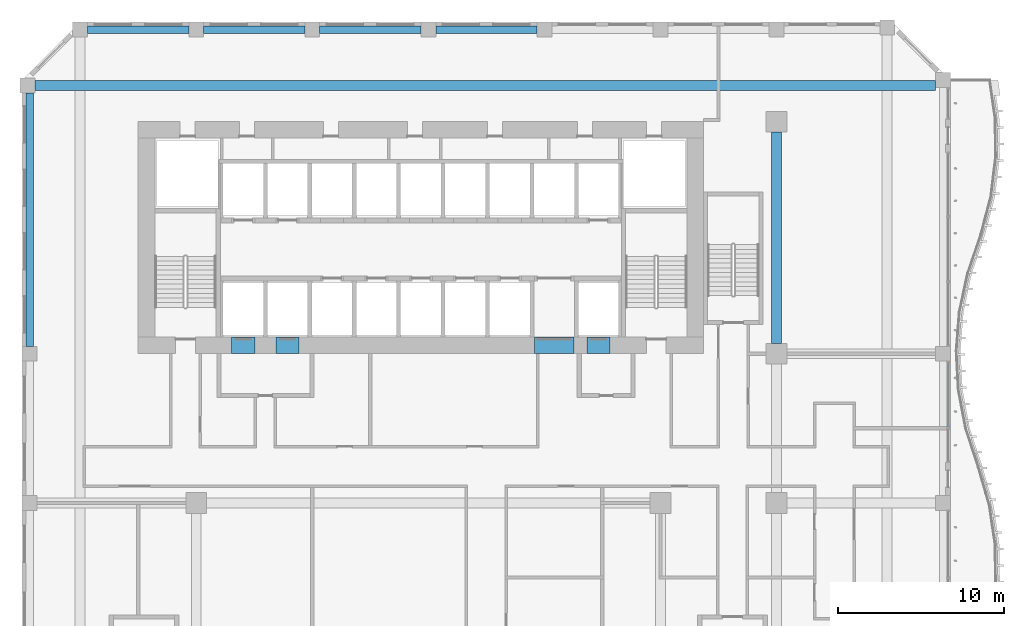
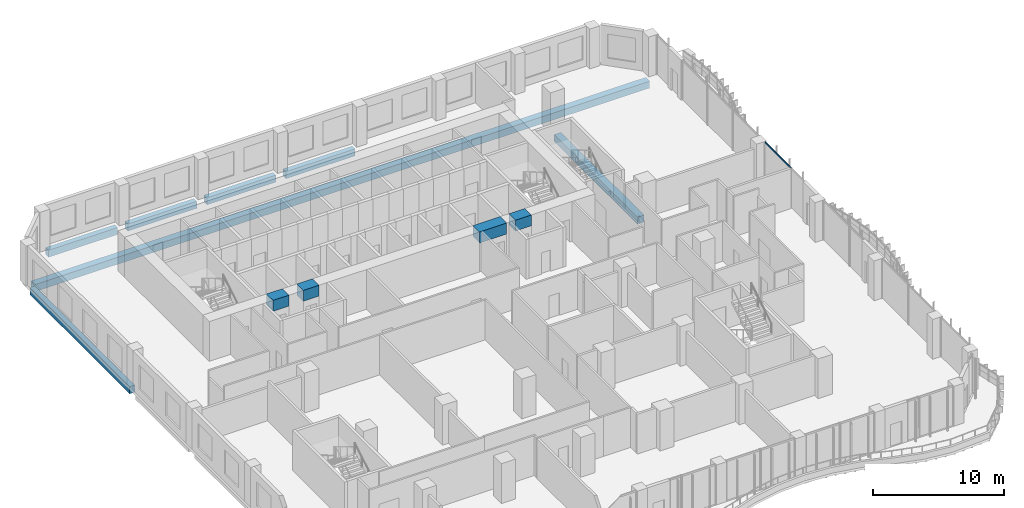
# One storey, part 9 of 28: 11 beams, 1 member, 1 element without a shape of its own.
"""IFC4 building model written with IfcOpenShell, lengths in metres."""

from ifc_helpers import new_model, si_unit, direction, frame, origin, origin_2d, place, context, subcontext, project, spatial, rectangle, extrude, source, transform, mapped, material, material_profile, profile_set, type_object, element, aggregate, save


model = new_model("IFC4")

# Units and contexts
model_context = context("Model", 3, precision=1e-05, world=origin(), true_north=direction((0.0, 1.0)))
body_context = subcontext(model_context, "Body", "Model", "MODEL_VIEW")
ifc_project = project(units=[si_unit("LENGTHUNIT", "METRE"), si_unit("AREAUNIT", "SQUARE_METRE"), si_unit("VOLUMEUNIT", "CUBIC_METRE"), si_unit("PLANEANGLEUNIT", "RADIAN"), si_unit("MASSUNIT", "GRAM", prefix="KILO")], contexts=[model_context])

# Site, building, storey
site_placement = place(None, origin())
site = spatial("IfcSite", under=ifc_project, at=site_placement, CompositionType="ELEMENT")
building_placement = place(site_placement, origin())
building = spatial("IfcBuilding", under=site, at=building_placement, Name="Kilnfold Tower and Market Hall", CompositionType="ELEMENT")
storey_placement = place(building_placement, frame((0.0, 0.0, 87.199951171875)))
storey = spatial("IfcBuildingStorey", under=building, at=storey_placement, Name="L20", CompositionType="ELEMENT", Elevation=87.199951171875)

# Beams
ifc_material_1 = material(Name="Concrete C45", Category="concrete")
ifc_material_profile_1 = material_profile(ifc_material_1, rectangle(XDim=0.449951171875, YDim=0.64990234375, at=origin_2d()), Name="RC 450x650")
ifc_profile_set_1 = profile_set([ifc_material_profile_1], Name="Concrete C45")
beam_type_1 = type_object("IfcBeamType", Name="EDGE BEAM 450X650 C45", PredefinedType="BEAM", material=ifc_profile_set_1)
shared_shape_1 = source(origin(), body_context, "Body", "SweptSolid", [
    extrude(rectangle(XDim=0.449951171875, YDim=0.64990234375, at=origin_2d()), origin(), (0.0, 0.0, 1.0), 6.10009765625),
])
for number, where, z_axis, x_axis, name in (
    (1, (-19.050048828125, 27.550048828125, -0.60498046875), (1.0, 0.0, 0.0), (0.0, 1.0, 0.0), "Beam EB650-B2.75"),
    (2, (-12.050048828125, 27.550048828125, -0.60498046875), (1.0, 0.0, 0.0), (0.0, 1.0, 0.0), "Beam EB650-B2.76"),
    (3, (-5.050048828125, 27.550048828125, -0.60498046875), (1.0, 0.0, 0.0), (0.0, 1.0, 0.0), "Beam EB650-B2.77"),
    (4, (1.949951171875, 27.550048828125, -0.60498046875), (1.0, 0.0, 0.0), (0.0, 1.0, 0.0), "Beam EB650-B2.78"),
):
    element("IfcBeam", number, at=place(storey_placement, frame(where, z_axis=z_axis, x_axis=x_axis)), inside=storey, type_object=beam_type_1, Name=name, PredefinedType="BEAM", context=body_context, shape_type="MappedRepresentation", body=[
        mapped(shared_shape_1, transform((0.0, 0.0, 0.0))),
    ])
ifc_material_2 = material(Name="Concrete C45", Category="concrete")
ifc_material_profile_2 = material_profile(ifc_material_2, rectangle(XDim=0.60009765625, YDim=0.64990234375, at=origin_2d()), Name="RC 600x650")
ifc_profile_set_2 = profile_set([ifc_material_profile_2], Name="Concrete C45")
beam_type_2 = type_object("IfcBeamType", Name="BEAM 600X650 C45", PredefinedType="BEAM", material=ifc_profile_set_2)
shared_shape_2 = source(origin(), body_context, "Body", "SweptSolid", [
    extrude(rectangle(XDim=0.60009765625, YDim=0.64990234375, at=origin_2d()), origin(), (0.0, 0.0, 1.0), 54.331787109375),
])
beam_1_placement = place(storey_placement, frame((-22.231689453125, 24.179931640625, -0.60498046875), z_axis=(1.0, 0.0, 0.0), x_axis=(0.0, 1.0, 0.0)))
element("IfcBeam", 5, at=beam_1_placement, inside=storey, type_object=beam_type_2, Name="Beam BB650-B2.74", PredefinedType="BEAM", context=body_context, shape_type="MappedRepresentation", body=[
    mapped(shared_shape_2, transform((0.0, 0.0, 0.0))),
])
shared_shape_3 = source(origin(), body_context, "Body", "SweptSolid", [
    extrude(rectangle(XDim=0.449951171875, YDim=0.64990234375, at=origin_2d()), origin(), (0.0, 0.0, 1.0), 15.28173828125),
])
beam_2_placement = place(storey_placement, frame((-22.550048828125, 8.449951171875, -0.60498046875), z_axis=(0.0, 1.0, 0.0), x_axis=(-1.0, 0.0, 0.0)))
element("IfcBeam", 6, at=beam_2_placement, inside=storey, type_object=beam_type_1, Name="Beam EB650-B2.41", PredefinedType="BEAM", context=body_context, shape_type="MappedRepresentation", body=[
    mapped(shared_shape_3, transform((0.0, 0.0, 0.0))),
])
ifc_material_3 = material(Name="Concrete C80", Category="concrete")
ifc_material_profile_3 = material_profile(ifc_material_3, rectangle(XDim=1.0, YDim=1.02001953125, at=origin_2d()), Name="RC 1000x1020")
ifc_profile_set_3 = profile_set([ifc_material_profile_3], Name="Concrete C80")
beam_type_3 = type_object("IfcBeamType", Name="COUPLING BEAM 1000X1020 C80", PredefinedType="BEAM", material=ifc_profile_set_3)
shared_shape_4 = source(origin(), body_context, "Body", "SweptSolid", [
    extrude(rectangle(XDim=1.0, YDim=1.02001953125, at=origin_2d()), origin(), (0.0, 0.0, 1.0), 1.400146484375),
])
beam_3_placement = place(storey_placement, frame((-10.3701171875, 8.5, 3.2099609375), z_axis=(1.0, 0.0, 0.0), x_axis=(0.0, 1.0, 0.0)))
element("IfcBeam", 7, at=beam_3_placement, inside=storey, type_object=beam_type_3, Name="Coupling beam CB1020-80-CORE.42", PredefinedType="BEAM", context=body_context, shape_type="MappedRepresentation", body=[
    mapped(shared_shape_4, transform((0.0, 0.0, 0.0))),
])
shared_shape_5 = source(origin(), body_context, "Body", "SweptSolid", [
    extrude(rectangle(XDim=1.0, YDim=1.02001953125, at=origin_2d()), origin(), (0.0, 0.0, 1.0), 1.39990234375),
])
for number, where, z_axis, x_axis, name in (
    (8, (-7.68994140625, 8.5, 3.2099609375), (1.0, 0.0, 0.0), (0.0, 1.0, 0.0), "Coupling beam CB1020-80-CORE.43"),
    (9, (11.070068359375, 8.5, 3.2099609375), (1.0, 0.0, 0.0), (0.0, 1.0, 0.0), "Coupling beam CB1020-80-CORE.45"),
):
    element("IfcBeam", number, at=place(storey_placement, frame(where, z_axis=z_axis, x_axis=x_axis)), inside=storey, type_object=beam_type_3, Name=name, PredefinedType="BEAM", context=body_context, shape_type="MappedRepresentation", body=[
        mapped(shared_shape_5, transform((0.0, 0.0, 0.0))),
    ])
shared_shape_6 = source(origin(), body_context, "Body", "SweptSolid", [
    extrude(rectangle(XDim=1.0, YDim=1.02001953125, at=origin_2d()), origin(), (0.0, 0.0, 1.0), 2.400146484375),
])
beam_4_placement = place(storey_placement, frame((7.889892578125, 8.5, 3.2099609375), z_axis=(1.0, 0.0, 0.0), x_axis=(0.0, 1.0, 0.0)))
element("IfcBeam", 10, at=beam_4_placement, inside=storey, type_object=beam_type_3, Name="Coupling beam CB1020-80-CORE.44", PredefinedType="BEAM", context=body_context, shape_type="MappedRepresentation", body=[
    mapped(shared_shape_6, transform((0.0, 0.0, 0.0))),
])
shared_shape_7 = source(origin(), body_context, "Body", "SweptSolid", [
    extrude(rectangle(XDim=0.60009765625, YDim=0.64990234375, at=origin_2d()), origin(), (0.0, 0.0, 1.0), 12.75),
])
beam_5_placement = place(storey_placement, frame((22.5, 8.625, -0.60498046875), z_axis=(0.0, 1.0, 0.0), x_axis=(-1.0, 0.0, 0.0)))
element("IfcBeam", 11, at=beam_5_placement, inside=storey, type_object=beam_type_2, Name="Beam BB650-B2.97", PredefinedType="BEAM", context=body_context, shape_type="MappedRepresentation", body=[
    mapped(shared_shape_7, transform((0.0, 0.0, 0.0))),
])

# Curtain wall, member
ifc_material_4 = material(Name="Aluminium and double glazing", Category="aluminium")
curtain_wall_type = type_object("IfcCurtainWallType", Name="CW OF1 VALLEY GLAZING", PredefinedType="NOTDEFINED", material=ifc_material_4)
curtain_wall_placement = place(storey_placement, origin())
curtain_wall = element("IfcCurtainWall", 12, at=curtain_wall_placement, inside=storey, type_object=curtain_wall_type, Name="Curtain wall CW1 L20 E", PredefinedType="NOTDEFINED")
ifc_material_5 = material(Name="Aluminium", Category="aluminium")
ifc_material_profile_4 = material_profile(ifc_material_5, rectangle(XDim=0.06005859375, YDim=0.139892578125, at=origin_2d()), Name="TRANSOM 60x140")
ifc_profile_set_4 = profile_set([ifc_material_profile_4], Name="Aluminium")
member_type = type_object("IfcMemberType", Name="TRANSOM 60X140", PredefinedType="USERDEFINED", material=ifc_profile_set_4)
shared_shape_8 = source(origin(), body_context, "Body", "SweptSolid", [
    extrude(rectangle(XDim=0.06005859375, YDim=0.139892578125, at=origin_2d()), origin(), (0.0, 0.0, 1.0), 3.929931640625),
])
member_placement = place(storey_placement, frame((32.85009765625, 3.56005859375, 3.68994140625), z_axis=(0.0, 1.0, 0.0), x_axis=(-1.0, 0.0, 0.0)))
member = element("IfcMember", 13, at=member_placement, type_object=member_type, Name="CW1 transom 1.2", ObjectType="TRANSOM", PredefinedType="USERDEFINED", context=body_context, shape_type="MappedRepresentation", body=[
    mapped(shared_shape_8, transform((0.0, 0.0, 0.0))),
])
aggregate(curtain_wall, [member])

save(model, "model.ifc")
